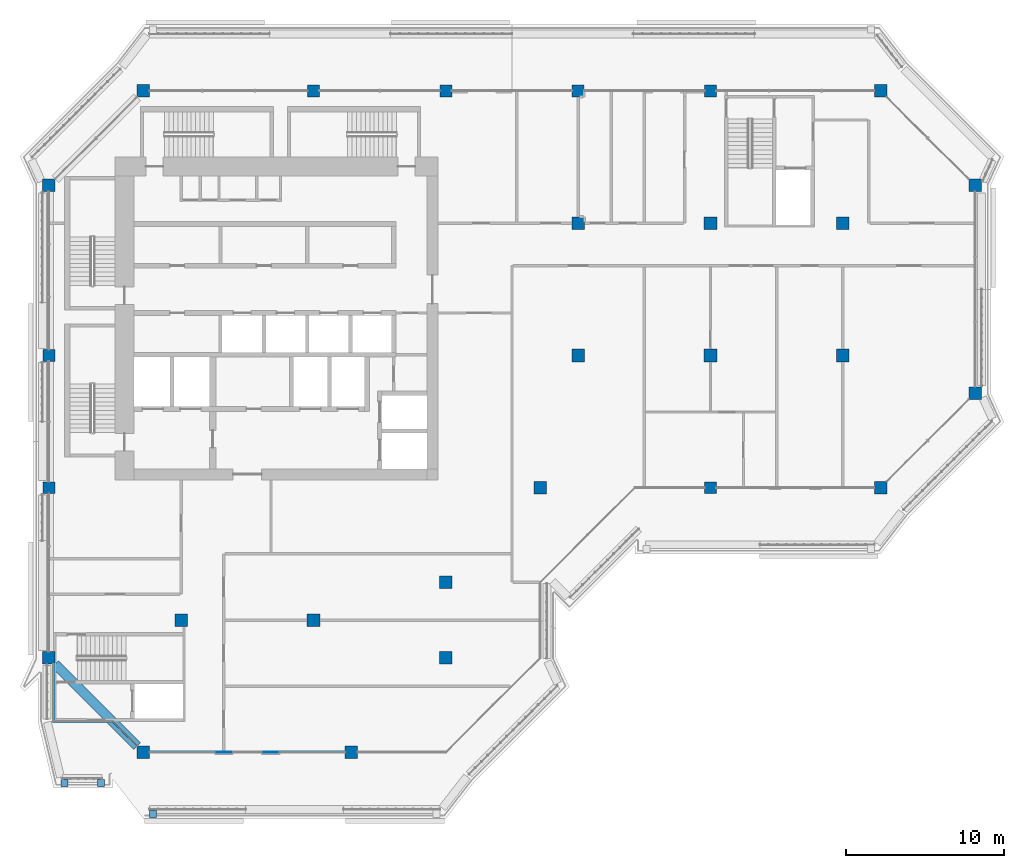
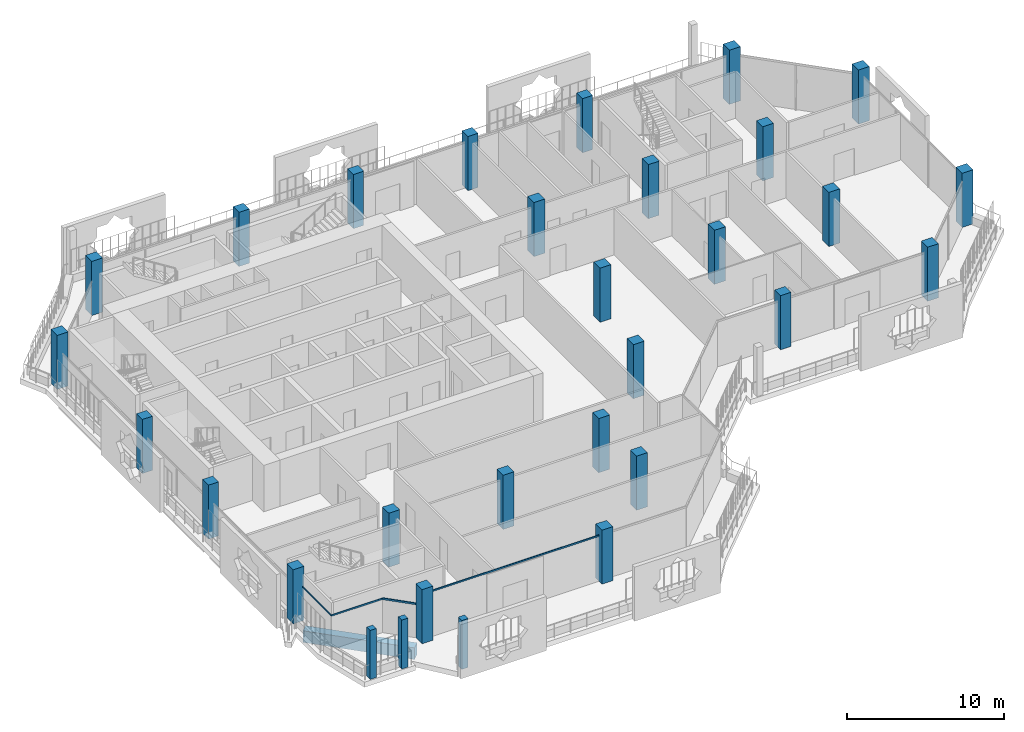
# One storey, part 1 of 21: 27 columns, 7 members, 1 beam, 5 elements without a shape of their own.
"""IFC4 building model written with IfcOpenShell, lengths in metres."""

from ifc_helpers import new_model, si_unit, direction, frame, origin, origin_2d, place, context, subcontext, project, spatial, rectangle, extrude, material, layer, layer_set, material_profile, profile_set, type_object, element, aggregate, save


model = new_model("IFC4")

# Units and contexts
model_context = context("Model", 3, precision=1e-05, world=origin(), true_north=direction((0.0, 1.0)))
body_context = subcontext(model_context, "Body", "Model", "MODEL_VIEW")
ifc_project = project(units=[si_unit("LENGTHUNIT", "METRE"), si_unit("AREAUNIT", "SQUARE_METRE"), si_unit("VOLUMEUNIT", "CUBIC_METRE"), si_unit("PLANEANGLEUNIT", "RADIAN"), si_unit("MASSUNIT", "GRAM", prefix="KILO")], contexts=[model_context])

# Site, building, storey
site_placement = place(None, origin())
site = spatial("IfcSite", under=ifc_project, at=site_placement, CompositionType="ELEMENT")
building_placement = place(site_placement, origin())
building = spatial("IfcBuilding", under=site, at=building_placement, Name="Kawkab Arch Medical Tower", CompositionType="ELEMENT")
storey_placement = place(building_placement, frame((0.0, 0.0, 311.199951171875)))
storey = spatial("IfcBuildingStorey", under=building, at=storey_placement, Name="L72", CompositionType="ELEMENT", Elevation=311.199951171875)

# Columns
ifc_material_1 = material(Name="Concrete C40/50", Category="concrete")
ifc_material_profile_1 = material_profile(ifc_material_1, rectangle(XDim=0.75, YDim=0.75, at=origin_2d()), Name="RC 750x750")
ifc_profile_set_1 = profile_set([ifc_material_profile_1], Name="Concrete C40/50")
column_type_1 = type_object("IfcColumnType", Name="RC 750x750 column C40/50", PredefinedType="COLUMN", material=ifc_profile_set_1)
for number, where, z_axis, x_axis, name in (
    (1, (16.800048828125, 0.0, 0.0), (0.0, 0.0, 1.0), (1.0, 0.0, 0.0), "Column RC 750x750"),
    (2, (25.199951171875, 0.0, 0.0), (0.0, 0.0, 1.0), (1.0, 0.0, 0.0), "Column RC 750x750"),
    (3, (33.60009765625, 0.0, 0.0), (0.0, 0.0, 1.0), (1.0, 0.0, 0.0), "Column RC 750x750"),
    (4, (42.0, 0.0, 0.0), (0.0, 0.0, 1.0), (1.0, 0.0, 0.0), "Column RC 750x750"),
    (5, (0.0, -16.800048828125, 0.0), (0.0, 0.0, 1.0), (1.0, 0.0, 0.0), "Column RC 750x750"),
    (6, (0.0, -25.199951171875, 0.0), (0.0, 0.0, 1.0), (1.0, 0.0, 0.0), "Column RC 750x750"),
    (7, (42.0, -25.199951171875, 0.0), (0.0, 0.0, 1.0), (1.0, 0.0, 0.0), "Column RC 750x750"),
):
    element("IfcColumn", number, at=place(storey_placement, frame(where, z_axis=z_axis, x_axis=x_axis)), inside=storey, type_object=column_type_1, Name=name, PredefinedType="COLUMN", context=body_context, shape_type="SweptSolid", body=[
        extrude(rectangle(XDim=0.75, YDim=0.75, at=origin_2d()), origin(), (0.0, 0.0, 1.0), 4.199951171875),
    ])
ifc_material_2 = material(Name="Concrete C40/50", Category="concrete")
ifc_material_profile_2 = material_profile(ifc_material_2, rectangle(XDim=0.800048828125, YDim=0.800048828125, at=origin_2d()), Name="RC 800x800")
ifc_profile_set_2 = profile_set([ifc_material_profile_2], Name="Concrete C40/50")
column_type_2 = type_object("IfcColumnType", Name="RC 800x800 column C40/50", PredefinedType="COLUMN", material=ifc_profile_set_2)
for number, where, z_axis, x_axis, name in (
    (8, (6.0, 0.0, 0.0), (0.0, 0.0, 1.0), (1.0, 0.0, 0.0), "Column RC 800x800"),
    (9, (52.800048828125, 0.0, 0.0), (0.0, 0.0, 1.0), (1.0, 0.0, 0.0), "Column RC 800x800"),
    (10, (0.0, -6.0, 0.0), (0.0, 0.0, 1.0), (1.0, 0.0, 0.0), "Column RC 800x800"),
    (11, (58.800048828125, -6.0, 0.0), (0.0, 0.0, 1.0), (1.0, 0.0, 0.0), "Column RC 800x800"),
    (12, (33.60009765625, -8.39990234375, 0.0), (0.0, 0.0, 1.0), (1.0, 0.0, 0.0), "Column RC 800x800"),
    (13, (42.0, -8.39990234375, 0.0), (0.0, 0.0, 1.0), (1.0, 0.0, 0.0), "Column RC 800x800"),
    (14, (50.39990234375, -8.39990234375, 0.0), (0.0, 0.0, 1.0), (1.0, 0.0, 0.0), "Column RC 800x800"),
    (15, (33.60009765625, -16.800048828125, 0.0), (0.0, 0.0, 1.0), (1.0, 0.0, 0.0), "Column RC 800x800"),
    (16, (42.0, -16.800048828125, 0.0), (0.0, 0.0, 1.0), (1.0, 0.0, 0.0), "Column RC 800x800"),
    (17, (50.39990234375, -16.800048828125, 0.0), (0.0, 0.0, 1.0), (1.0, 0.0, 0.0), "Column RC 800x800"),
    (18, (58.800048828125, -19.199951171875, 0.0), (0.0, 0.0, 1.0), (1.0, 0.0, 0.0), "Column RC 800x800"),
    (19, (31.199951171875, -25.199951171875, 0.0), (0.0, 0.0, 1.0), (1.0, 0.0, 0.0), "Column RC 800x800"),
    (20, (52.800048828125, -25.199951171875, 0.0), (0.0, 0.0, 1.0), (1.0, 0.0, 0.0), "Column RC 800x800"),
    (21, (25.199951171875, -31.199951171875, 0.0), (0.0, 0.0, 1.0), (1.0, 0.0, 0.0), "Column RC 800x800"),
    (22, (8.39990234375, -33.60009765625, 0.0), (0.0, 0.0, 1.0), (1.0, 0.0, 0.0), "Column RC 800x800"),
    (23, (16.800048828125, -33.60009765625, 0.0), (0.0, 0.0, 1.0), (1.0, 0.0, 0.0), "Column RC 800x800"),
    (24, (0.0, -36.0, 0.0), (0.0, 0.0, 1.0), (1.0, 0.0, 0.0), "Column RC 800x800"),
    (25, (25.199951171875, -36.0, 0.0), (0.0, 0.0, 1.0), (1.0, 0.0, 0.0), "Column RC 800x800"),
    (26, (6.0, -42.0, 0.0), (0.0, 0.0, 1.0), (1.0, 0.0, 0.0), "Column RC 800x800"),
    (27, (19.199951171875, -42.0, 0.0), (0.0, 0.0, 1.0), (1.0, 0.0, 0.0), "Column RC 800x800"),
):
    element("IfcColumn", number, at=place(storey_placement, frame(where, z_axis=z_axis, x_axis=x_axis)), inside=storey, type_object=column_type_2, Name=name, PredefinedType="COLUMN", context=body_context, shape_type="SweptSolid", body=[
        extrude(rectangle(XDim=0.800048828125, YDim=0.800048828125, at=origin_2d()), origin(), (0.0, 0.0, 1.0), 4.199951171875),
    ])

# Curtain wall, member
ifc_material_3 = material(Name="Bronze anodised aluminium curtain wall frame", Category="aluminium")
ifc_layer_1 = layer(ifc_material_3, 0.159912109375)
ifc_layer_set_1 = layer_set([ifc_layer_1], Name="Bronze anodised aluminium curtain wall frame")
curtain_wall_type_1 = type_object("IfcCurtainWallType", Name="CW1 ward curtain wall", PredefinedType="NOTDEFINED", material=ifc_layer_set_1)
placement = place(storey_placement, origin())
curtain_wall_1 = element("IfcCurtainWall", 28, at=placement, inside=storey, type_object=curtain_wall_type_1, Name="CW1 Ward curtain wall R04", PredefinedType="NOTDEFINED")
ifc_material_4 = material(Name="Bronze anodised aluminium curtain wall frame", Category="aluminium")
ifc_material_profile_3 = material_profile(ifc_material_4, rectangle(XDim=0.06005859375, YDim=0.1201171875, at=origin_2d()), Name="AL 60x120")
ifc_profile_set_3 = profile_set([ifc_material_profile_3], Name="Bronze anodised aluminium curtain wall frame")
member_type_1 = type_object("IfcMemberType", Name="CW1 transom 120 x 60", PredefinedType="USERDEFINED", material=ifc_profile_set_3)
member_1_placement = place(storey_placement, frame((0.300048828125, -36.39990234375, 2.64013671875), z_axis=(0.0, -1.0, 0.0), x_axis=(1.0, 0.0, 0.0)))
member_1 = element("IfcMember", 29, at=member_1_placement, type_object=member_type_1, Name="CW1 transom 1", ObjectType="TRANSOM", PredefinedType="USERDEFINED", context=body_context, shape_type="SweptSolid", body=[
    extrude(rectangle(XDim=0.06005859375, YDim=0.1201171875, at=origin_2d()), origin(), (0.0, 0.0, 1.0), 3.650146484375),
])
aggregate(curtain_wall_1, [member_1])

curtain_wall_2 = element("IfcCurtainWall", 30, at=placement, inside=storey, type_object=curtain_wall_type_1, Name="CW1 Ward curtain wall R05", PredefinedType="NOTDEFINED")
member_2_placement = place(storey_placement, frame((0.300048828125, -40.050048828125, 2.64013671875), z_axis=(1.0, 0.0, 0.0), x_axis=(0.0, 1.0, 0.0)))
member_2 = element("IfcMember", 31, at=member_2_placement, type_object=member_type_1, Name="CW1 transom 1", ObjectType="TRANSOM", PredefinedType="USERDEFINED", context=body_context, shape_type="SweptSolid", body=[
    extrude(rectangle(XDim=0.06005859375, YDim=0.1201171875, at=origin_2d()), origin(), (0.0, 0.0, 1.0), 3.75),
])
aggregate(curtain_wall_2, [member_2])

curtain_wall_3 = element("IfcCurtainWall", 32, at=placement, inside=storey, type_object=curtain_wall_type_1, Name="CW1 Ward curtain wall R07", PredefinedType="NOTDEFINED")
member_3_placement = place(storey_placement, frame((6.39990234375, -42.0, 3.5400390625), z_axis=(1.0, 0.0, 0.0), x_axis=(0.0, 1.0, 0.0)))
member_3 = element("IfcMember", 33, at=member_3_placement, type_object=member_type_1, Name="CW1 transom 1", ObjectType="TRANSOM", PredefinedType="USERDEFINED", context=body_context, shape_type="SweptSolid", body=[
    extrude(rectangle(XDim=0.06005859375, YDim=0.1201171875, at=origin_2d()), origin(), (0.0, 0.0, 1.0), 12.400146484375),
])
aggregate(curtain_wall_3, [member_3])

ifc_material_5 = material(Name="Bronze anodised aluminium curtain wall frame", Category="aluminium")
ifc_layer_2 = layer(ifc_material_5, 0.159912109375)
ifc_layer_set_2 = layer_set([ifc_layer_2], Name="Bronze anodised aluminium curtain wall frame")
curtain_wall_type_2 = type_object("IfcCurtainWallType", Name="CW2 chamfer curtain wall", PredefinedType="NOTDEFINED", material=ifc_layer_set_2)
curtain_wall_4 = element("IfcCurtainWall", 34, at=placement, inside=storey, type_object=curtain_wall_type_2, Name="CW2 Chamfer curtain wall R06", PredefinedType="NOTDEFINED")
ifc_material_6 = material(Name="Bronze anodised aluminium curtain wall frame", Category="aluminium")
ifc_material_profile_4 = material_profile(ifc_material_6, rectangle(XDim=0.06005859375, YDim=0.139892578125, at=origin_2d()), Name="AL 60x140")
ifc_profile_set_4 = profile_set([ifc_material_profile_4], Name="Bronze anodised aluminium curtain wall frame")
member_type_2 = type_object("IfcMemberType", Name="CW2 transom 140 x 60", PredefinedType="USERDEFINED", material=ifc_profile_set_4)
member_4_placement = place(storey_placement, frame((4.050048828125, -40.050048828125, 2.630126953125), z_axis=(0.707106781187, -0.707106781187, 0.0), x_axis=(0.707106781187, 0.707106781187, 0.0)))
member_4 = element("IfcMember", 35, at=member_4_placement, type_object=member_type_2, Name="CW2 transom 1", ObjectType="TRANSOM", PredefinedType="USERDEFINED", context=body_context, shape_type="SweptSolid", body=[
    extrude(rectangle(XDim=0.06005859375, YDim=0.139892578125, at=origin_2d()), origin(), (0.0, 0.0, 1.0), 2.192138671875),
])
aggregate(curtain_wall_4, [member_4])

# Curtain wall, members
ifc_material_7 = material(Name="Bronze anodised aluminium climber frame, planted", Category="aluminium")
ifc_layer_3 = layer(ifc_material_7, 0.449951171875)
ifc_layer_set_3 = layer_set([ifc_layer_3], Name="Bronze anodised aluminium climber frame, planted")
curtain_wall_type_3 = type_object("IfcCurtainWallType", Name="Planted climber frame", PredefinedType="NOTDEFINED", material=ifc_layer_set_3)
curtain_wall_5 = element("IfcCurtainWall", 36, at=placement, inside=storey, type_object=curtain_wall_type_3, Name="Planted climber frame L72", PredefinedType="NOTDEFINED")
ifc_material_8 = material(Name="Bronze anodised aluminium climber frame, planted", Category="aluminium")
ifc_material_profile_5 = material_profile(ifc_material_8, rectangle(XDim=0.449951171875, YDim=0.449951171875, at=origin_2d()), Name="Post 450x450")
ifc_profile_set_5 = profile_set([ifc_material_profile_5], Name="Bronze anodised aluminium climber frame, planted")
member_type_3 = type_object("IfcMemberType", Name="Planted climber post 450 x 450", PredefinedType="MULLION", material=ifc_profile_set_5)
member_5_placement = place(storey_placement, frame((3.300048828125, -43.949951171875, 0.0), z_axis=(0.0, 0.0, 1.0), x_axis=(1.0, 0.0, 0.0)))
member_5 = element("IfcMember", 37, at=member_5_placement, type_object=member_type_3, Name="Planted climber post L72.LOG-01-01.1", PredefinedType="MULLION", context=body_context, shape_type="SweptSolid", body=[
    extrude(rectangle(XDim=0.449951171875, YDim=0.449951171875, at=origin_2d()), origin(), (0.0, 0.0, 1.0), 3.800048828125),
])
member_6_placement = place(storey_placement, frame((0.987060546875, -43.949951171875, 0.0), z_axis=(0.0, 0.0, 1.0), x_axis=(1.0, 0.0, 0.0)))
member_6 = element("IfcMember", 38, at=member_6_placement, type_object=member_type_3, Name="Planted climber post L72.LOG-01-01.2", PredefinedType="MULLION", context=body_context, shape_type="SweptSolid", body=[
    extrude(rectangle(XDim=0.449951171875, YDim=0.449951171875, at=origin_2d()), origin(), (0.0, 0.0, 1.0), 3.800048828125),
])
member_7_placement = place(storey_placement, frame((6.596923828125, -45.89990234375, 0.0), z_axis=(0.0, 0.0, 1.0), x_axis=(1.0, 0.0, 0.0)))
member_7 = element("IfcMember", 39, at=member_7_placement, type_object=member_type_3, Name="Planted climber post L72.LOG-01-01.8", PredefinedType="MULLION", context=body_context, shape_type="SweptSolid", body=[
    extrude(rectangle(XDim=0.449951171875, YDim=0.449951171875, at=origin_2d()), origin(), (0.0, 0.0, 1.0), 3.800048828125),
])
aggregate(curtain_wall_5, [member_5, member_6, member_7])

# Beam
ifc_material_9 = material(Name="Concrete C40/50", Category="concrete")
ifc_material_profile_6 = material_profile(ifc_material_9, rectangle(XDim=0.60009765625, YDim=0.89990234375, at=origin_2d()), Name="RC 600x900")
ifc_profile_set_6 = profile_set([ifc_material_profile_6], Name="Concrete C40/50")
beam_type = type_object("IfcBeamType", Name="RC 600x900 beam C40/50", PredefinedType="BEAM", material=ifc_profile_set_6)
beam_placement = place(storey_placement, frame((5.60009765625, -41.60009765625, -1.050048828125), z_axis=(-0.707106781187, 0.707106781187, 0.0), x_axis=(-0.707106781187, -0.707106781187, 0.0)))
element("IfcBeam", 40, at=beam_placement, inside=storey, type_object=beam_type, Name="Overhang edge beam L72-02", PredefinedType="BEAM", context=body_context, shape_type="SweptSolid", body=[
    extrude(rectangle(XDim=0.60009765625, YDim=0.89990234375, at=origin_2d()), origin(), (0.0, 0.0, 1.0), 7.354248046875),
])

save(model, "model.ifc")
